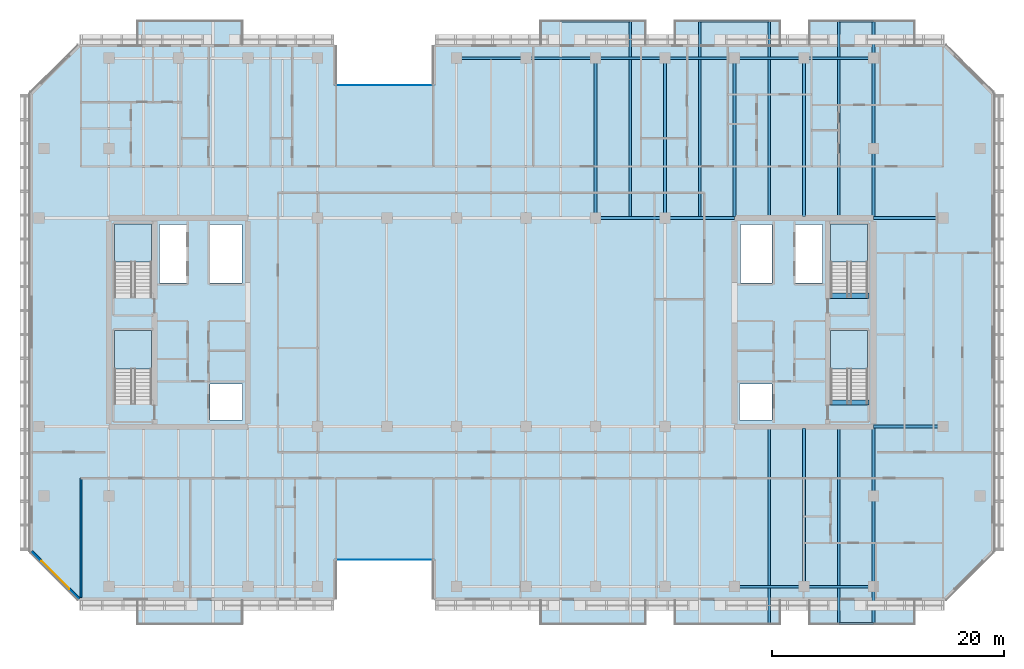
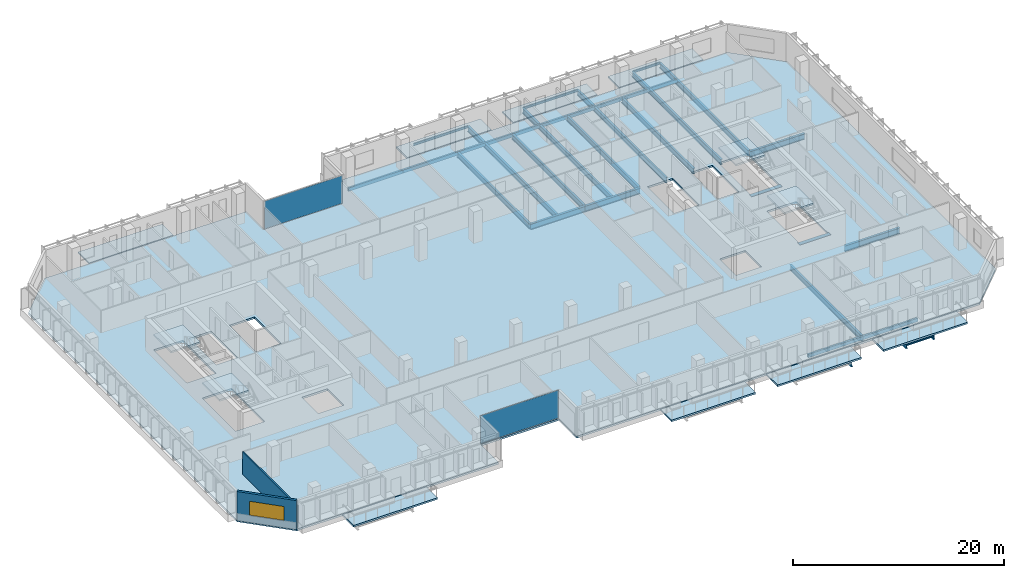
# One storey, part 9 of 23: 31 beams, 13 slabs, 2 plates, 2 walls, 1 window, 1 opening, 6 elements without a shape of their own.
"""IFC4 building model written with IfcOpenShell, lengths in metres."""

from ifc_helpers import new_model, si_unit, direction, frame, frame_2d, origin, origin_2d, place, context, subcontext, project, spatial, polyline, rectangle, hollow_rectangle, i_section, outline, extrude, material, layer, layer_set, material_profile, profile_set, type_object, element, fill, aggregate, save


model = new_model("IFC4")

# Units and contexts
model_context = context("Model", 3, precision=1e-05, world=origin(), true_north=direction((0.0, 1.0)))
body_context = subcontext(model_context, "Body", "Model", "MODEL_VIEW")
ifc_project = project(units=[si_unit("LENGTHUNIT", "METRE"), si_unit("AREAUNIT", "SQUARE_METRE"), si_unit("VOLUMEUNIT", "CUBIC_METRE"), si_unit("PLANEANGLEUNIT", "RADIAN"), si_unit("MASSUNIT", "GRAM", prefix="KILO")], contexts=[model_context])

# Site, building, storey
site_placement = place(None, origin())
site = spatial("IfcSite", under=ifc_project, at=site_placement, CompositionType="ELEMENT")
building_placement = place(site_placement, origin())
building = spatial("IfcBuilding", under=site, at=building_placement, Name="Tanjung Sevakor Pilgrim Tower", CompositionType="ELEMENT")
storey_placement = place(building_placement, frame((0.0, 0.0, 119.4599609375)))
storey = spatial("IfcBuildingStorey", under=building, at=storey_placement, Name="L33", CompositionType="ELEMENT", Elevation=119.4599609375)

# Beams
ifc_material_1 = material(Name="Steel S355J2", Category="steel")
ifc_material_profile_1 = material_profile(ifc_material_1, i_section(OverallWidth=0.25439453125, OverallDepth=0.6875, WebThickness=0.01318359375, FlangeThickness=0.02099609375, FilletRadius=0.01513671875, at=origin_2d()))
ifc_profile_set_1 = profile_set([ifc_material_profile_1], Name="Steel S355J2")
beam_type_1 = type_object("IfcBeamType", Name="BM-B-G2-UB_686x254x152", PredefinedType="BEAM", material=ifc_profile_set_1)
for number, where, z_axis, x_axis, name in (
    (1, (90.0, 24.60009765625, -0.563720703125), (1.0, 0.0, 0.0), (0.0, 1.0, 0.0), "L33 Primary Floor Girder MAIN Y246-09"),
    (2, (66.0, 42.60009765625, -0.563720703125), (1.0, 0.0, 0.0), (0.0, 1.0, 0.0), "L33 Primary Floor Girder MAIN Y426-07"),
    (3, (72.0, 42.60009765625, -0.563720703125), (1.0, 0.0, 0.0), (0.0, 1.0, 0.0), "L33 Primary Floor Girder MAIN Y426-08"),
    (4, (90.0, 42.60009765625, -0.563720703125), (1.0, 0.0, 0.0), (0.0, 1.0, 0.0), "L33 Primary Floor Girder MAIN Y426-09"),
):
    element("IfcBeam", number, at=place(storey_placement, frame(where, z_axis=z_axis, x_axis=x_axis)), inside=storey, type_object=beam_type_1, Name=name, PredefinedType="BEAM", context=body_context, shape_type="SweptSolid", body=[
        extrude(i_section(OverallWidth=0.25439453125, OverallDepth=0.6875, WebThickness=0.01318359375, FlangeThickness=0.02099609375, FilletRadius=0.01513671875, at=origin_2d()), origin(), (0.0, 0.0, 1.0), 6.0),
    ])
ifc_material_2 = material(Name="Steel S355J2", Category="steel")
ifc_material_profile_2 = material_profile(ifc_material_2, i_section(OverallWidth=0.230224609375, OverallDepth=0.6171875, WebThickness=0.01318359375, FlangeThickness=0.022216796875, FilletRadius=0.0126953125, at=origin_2d()))
ifc_profile_set_2 = profile_set([ifc_material_profile_2], Name="Steel S355J2")
beam_type_2 = type_object("IfcBeamType", Name="BM-B-G3-UB_610x229x140", PredefinedType="BEAM", material=ifc_profile_set_2)
for number, where, z_axis, x_axis, name in (
    (5, (66.0, 42.60009765625, -0.528564453125), (0.0, 1.0, 0.0), (-1.0, 0.0, 0.0), "L33 MAIN Girder 023"),
    (6, (72.0, 42.60009765625, -0.528564453125), (0.0, 1.0, 0.0), (-1.0, 0.0, 0.0), "L33 MAIN Girder 026"),
):
    element("IfcBeam", number, at=place(storey_placement, frame(where, z_axis=z_axis, x_axis=x_axis)), inside=storey, type_object=beam_type_2, Name=name, PredefinedType="BEAM", context=body_context, shape_type="SweptSolid", body=[
        extrude(i_section(OverallWidth=0.230224609375, OverallDepth=0.6171875, WebThickness=0.01318359375, FlangeThickness=0.022216796875, FilletRadius=0.0126953125, at=origin_2d()), origin(), (0.0, 0.0, 1.0), 13.7998046875),
    ])
for number, where, z_axis, x_axis, name in (
    (7, (78.0, 42.727294921875, -0.528564453125), (0.0, 1.0, 0.0), (-1.0, 0.0, 0.0), "L33 MAIN Girder 028"),
    (8, (84.0, 10.800048828125, -0.528564453125), (0.0, 1.0, 0.0), (-1.0, 0.0, 0.0), "L33 MAIN Girder 029"),
    (9, (84.0, 42.727294921875, -0.528564453125), (0.0, 1.0, 0.0), (-1.0, 0.0, 0.0), "L33 MAIN Girder 030"),
):
    element("IfcBeam", number, at=place(storey_placement, frame(where, z_axis=z_axis, x_axis=x_axis)), inside=storey, type_object=beam_type_2, Name=name, PredefinedType="BEAM", context=body_context, shape_type="SweptSolid", body=[
        extrude(i_section(OverallWidth=0.230224609375, OverallDepth=0.6171875, WebThickness=0.01318359375, FlangeThickness=0.022216796875, FilletRadius=0.0126953125, at=origin_2d()), origin(), (0.0, 0.0, 1.0), 13.672607421875),
    ])
beam_1_placement = place(storey_placement, frame((90.0, 24.47265625, -0.528564453125), z_axis=(0.0, -1.0, 0.0), x_axis=(1.0, 0.0, 0.0)))
element("IfcBeam", 10, at=beam_1_placement, inside=storey, type_object=beam_type_2, Name="L33 Balcony Cantilever Beam MAIN-S4-2", PredefinedType="BEAM", context=body_context, shape_type="SweptSolid", body=[
    extrude(i_section(OverallWidth=0.230224609375, OverallDepth=0.6171875, WebThickness=0.01318359375, FlangeThickness=0.022216796875, FilletRadius=0.0126953125, at=origin_2d()), origin(), (0.0, 0.0, 1.0), 16.8525390625),
])
beam_2_placement = place(storey_placement, frame((90.0, 42.727294921875, -0.528564453125), z_axis=(0.0, 1.0, 0.0), x_axis=(-1.0, 0.0, 0.0)))
element("IfcBeam", 11, at=beam_2_placement, inside=storey, type_object=beam_type_2, Name="L33 Balcony Cantilever Beam MAIN-N4-2", PredefinedType="BEAM", context=body_context, shape_type="SweptSolid", body=[
    extrude(i_section(OverallWidth=0.230224609375, OverallDepth=0.6171875, WebThickness=0.01318359375, FlangeThickness=0.022216796875, FilletRadius=0.0126953125, at=origin_2d()), origin(), (0.0, 0.0, 1.0), 16.852783203125),
])
ifc_material_3 = material(Name="Steel S355J2", Category="steel")
ifc_material_profile_3 = material_profile(ifc_material_3, i_section(OverallWidth=0.22900390625, OverallDepth=0.6123046875, WebThickness=0.011962890625, FlangeThickness=0.01953125, FilletRadius=0.0126953125, at=origin_2d()))
ifc_profile_set_3 = profile_set([ifc_material_profile_3], Name="Steel S355J2")
beam_type_3 = type_object("IfcBeamType", Name="BM-B-G4-UB_610x229x125", PredefinedType="BEAM", material=ifc_profile_set_3)
for number, where, z_axis, x_axis, name in (
    (12, (69.0, 42.727294921875, -0.526123046875), (0.0, 1.0, 0.0), (-1.0, 0.0, 0.0), "L33 Balcony Cantilever Beam MAIN-N2-2"),
    (13, (75.0, 42.727294921875, -0.526123046875), (0.0, 1.0, 0.0), (-1.0, 0.0, 0.0), "L33 Balcony Cantilever Beam MAIN-N3-1"),
):
    element("IfcBeam", number, at=place(storey_placement, frame(where, z_axis=z_axis, x_axis=x_axis)), inside=storey, type_object=beam_type_3, Name=name, PredefinedType="BEAM", context=body_context, shape_type="SweptSolid", body=[
        extrude(i_section(OverallWidth=0.22900390625, OverallDepth=0.6123046875, WebThickness=0.011962890625, FlangeThickness=0.01953125, FilletRadius=0.0126953125, at=origin_2d()), origin(), (0.0, 0.0, 1.0), 16.852783203125),
    ])
beam_3_placement = place(storey_placement, frame((81.0, 24.47265625, -0.526123046875), z_axis=(0.0, -1.0, 0.0), x_axis=(1.0, 0.0, 0.0)))
element("IfcBeam", 14, at=beam_3_placement, inside=storey, type_object=beam_type_3, Name="L33 Balcony Cantilever Beam MAIN-S3-2", PredefinedType="BEAM", context=body_context, shape_type="SweptSolid", body=[
    extrude(i_section(OverallWidth=0.22900390625, OverallDepth=0.6123046875, WebThickness=0.011962890625, FlangeThickness=0.01953125, FilletRadius=0.0126953125, at=origin_2d()), origin(), (0.0, 0.0, 1.0), 16.8525390625),
])
beam_4_placement = place(storey_placement, frame((81.0, 42.727294921875, -0.526123046875), z_axis=(0.0, 1.0, 0.0), x_axis=(-1.0, 0.0, 0.0)))
element("IfcBeam", 15, at=beam_4_placement, inside=storey, type_object=beam_type_3, Name="L33 Balcony Cantilever Beam MAIN-N3-2", PredefinedType="BEAM", context=body_context, shape_type="SweptSolid", body=[
    extrude(i_section(OverallWidth=0.22900390625, OverallDepth=0.6123046875, WebThickness=0.011962890625, FlangeThickness=0.01953125, FilletRadius=0.0126953125, at=origin_2d()), origin(), (0.0, 0.0, 1.0), 16.852783203125),
])
beam_5_placement = place(storey_placement, frame((87.0, 24.47265625, -0.526123046875), z_axis=(0.0, -1.0, 0.0), x_axis=(1.0, 0.0, 0.0)))
element("IfcBeam", 16, at=beam_5_placement, inside=storey, type_object=beam_type_3, Name="L33 Balcony Cantilever Beam MAIN-S4-1", PredefinedType="BEAM", context=body_context, shape_type="SweptSolid", body=[
    extrude(i_section(OverallWidth=0.22900390625, OverallDepth=0.6123046875, WebThickness=0.011962890625, FlangeThickness=0.01953125, FilletRadius=0.0126953125, at=origin_2d()), origin(), (0.0, 0.0, 1.0), 16.8525390625),
])
beam_6_placement = place(storey_placement, frame((87.0, 42.727294921875, -0.526123046875), z_axis=(0.0, 1.0, 0.0), x_axis=(-1.0, 0.0, 0.0)))
element("IfcBeam", 17, at=beam_6_placement, inside=storey, type_object=beam_type_3, Name="L33 Balcony Cantilever Beam MAIN-N4-1", PredefinedType="BEAM", context=body_context, shape_type="SweptSolid", body=[
    extrude(i_section(OverallWidth=0.22900390625, OverallDepth=0.6123046875, WebThickness=0.011962890625, FlangeThickness=0.01953125, FilletRadius=0.0126953125, at=origin_2d()), origin(), (0.0, 0.0, 1.0), 16.852783203125),
])
ifc_material_4 = material(Name="Steel S355J2", Category="steel")
ifc_material_profile_4 = material_profile(ifc_material_4, i_section(OverallWidth=0.146484375, OverallDepth=0.256103515625, WebThickness=0.00634765625, FlangeThickness=0.010986328125, FilletRadius=0.007568359375, at=origin_2d()))
ifc_profile_set_4 = profile_set([ifc_material_profile_4], Name="Steel S355J2")
beam_type_4 = type_object("IfcBeamType", Name="BM-B-J6-UB_254x146x37", PredefinedType="JOIST", material=ifc_profile_set_4)
for number, where, z_axis, x_axis, name in (
    (18, (63.0, 59.580078125, -0.327880859375), (1.0, 0.0, 0.0), (0.0, 1.0, 0.0), "L33 Balcony Rim Tie MAIN-N2"),
    (19, (75.0, 59.580078125, -0.327880859375), (1.0, 0.0, 0.0), (0.0, 1.0, 0.0), "L33 Balcony Rim Tie MAIN-N3"),
):
    element("IfcBeam", number, at=place(storey_placement, frame(where, z_axis=z_axis, x_axis=x_axis)), inside=storey, type_object=beam_type_4, Name=name, PredefinedType="JOIST", context=body_context, shape_type="SweptSolid", body=[
        extrude(i_section(OverallWidth=0.146484375, OverallDepth=0.256103515625, WebThickness=0.00634765625, FlangeThickness=0.010986328125, FilletRadius=0.007568359375, at=origin_2d()), origin(), (0.0, 0.0, 1.0), 6.0),
    ])
for number, where, z_axis, x_axis, name in (
    (20, (87.0, 7.6201171875, -0.327880859375), (1.0, 0.0, 0.0), (0.0, 1.0, 0.0), "L33 Balcony Rim Tie MAIN-S4"),
    (21, (87.0, 59.580078125, -0.327880859375), (1.0, 0.0, 0.0), (0.0, 1.0, 0.0), "L33 Balcony Rim Tie MAIN-N4"),
):
    element("IfcBeam", number, at=place(storey_placement, frame(where, z_axis=z_axis, x_axis=x_axis)), inside=storey, type_object=beam_type_4, Name=name, PredefinedType="JOIST", context=body_context, shape_type="SweptSolid", body=[
        extrude(i_section(OverallWidth=0.146484375, OverallDepth=0.256103515625, WebThickness=0.00634765625, FlangeThickness=0.010986328125, FilletRadius=0.007568359375, at=origin_2d()), origin(), (0.0, 0.0, 1.0), 3.0),
    ])
ifc_material_5 = material(Name="Concrete C60/75", Category="concrete")
ifc_material_profile_5 = material_profile(ifc_material_5, rectangle(XDim=0.449951171875, YDim=0.699951171875, at=origin_2d()))
ifc_profile_set_5 = profile_set([ifc_material_profile_5], Name="Concrete C60/75")
beam_type_5 = type_object("IfcBeamType", Name="BM-B-LN3-RC-BM_450x700", PredefinedType="LINTEL", material=ifc_profile_set_5)
for number, where, z_axis, x_axis, name in (
    (22, (86.199951171875, 26.699951171875, -0.349853515625), (1.0, 0.0, 0.0), (0.0, 1.0, 0.0), "L33 TS-E1 Stair Threshold Beam"),
    (23, (86.199951171875, 35.89990234375, -0.349853515625), (1.0, 0.0, 0.0), (0.0, 1.0, 0.0), "L33 TS-E2 Stair Threshold Beam"),
):
    element("IfcBeam", number, at=place(storey_placement, frame(where, z_axis=z_axis, x_axis=x_axis)), inside=storey, type_object=beam_type_5, Name=name, PredefinedType="LINTEL", context=body_context, shape_type="SweptSolid", body=[
        extrude(rectangle(XDim=0.449951171875, YDim=0.699951171875, at=origin_2d()), origin(), (0.0, 0.0, 1.0), 3.400146484375),
    ])
ifc_material_6 = material(Name="Steel S355J2", Category="steel")
ifc_material_profile_6 = material_profile(ifc_material_6, hollow_rectangle(XDim=0.199951171875, YDim=0.39990234375, WallThickness=0.01611328125, at=origin_2d()))
ifc_profile_set_6 = profile_set([ifc_material_profile_6], Name="Steel S355J2")
beam_type_6 = type_object("IfcBeamType", Name="BM-B-SP2-RHS_400x200x16", PredefinedType="SPANDREL", material=ifc_profile_set_6)
for number, where, z_axis, x_axis, name in (
    (24, (54.0, 56.39990234375, -0.419921875), (1.0, 0.0, 0.0), (0.0, 1.0, 0.0), "L33 Spandrel MAIN N-08"),
    (25, (60.0, 56.39990234375, -0.419921875), (1.0, 0.0, 0.0), (0.0, 1.0, 0.0), "L33 Spandrel MAIN N-10"),
    (26, (66.0, 56.39990234375, -0.419921875), (1.0, 0.0, 0.0), (0.0, 1.0, 0.0), "L33 Spandrel MAIN N-12"),
    (27, (72.0, 56.39990234375, -0.419921875), (1.0, 0.0, 0.0), (0.0, 1.0, 0.0), "L33 Spandrel MAIN N-14"),
    (28, (78.0, 10.800048828125, -0.419921875), (1.0, 0.0, 0.0), (0.0, 1.0, 0.0), "L33 Spandrel MAIN S-15"),
    (29, (78.0, 56.39990234375, -0.419921875), (1.0, 0.0, 0.0), (0.0, 1.0, 0.0), "L33 Spandrel MAIN N-16"),
    (30, (84.0, 10.800048828125, -0.419921875), (1.0, 0.0, 0.0), (0.0, 1.0, 0.0), "L33 Spandrel MAIN S-17"),
    (31, (84.0, 56.39990234375, -0.419921875), (1.0, 0.0, 0.0), (0.0, 1.0, 0.0), "L33 Spandrel MAIN N-18"),
):
    element("IfcBeam", number, at=place(storey_placement, frame(where, z_axis=z_axis, x_axis=x_axis)), inside=storey, type_object=beam_type_6, Name=name, PredefinedType="SPANDREL", context=body_context, shape_type="SweptSolid", body=[
        extrude(hollow_rectangle(XDim=0.199951171875, YDim=0.39990234375, WallThickness=0.01611328125, at=origin_2d()), origin(), (0.0, 0.0, 1.0), 6.0),
    ])

# Slabs
ifc_material_7 = material(Name="Concrete C40/50", Category="concrete")
ifc_layer_1 = layer(ifc_material_7, 0.199951171875)
ifc_layer_set_1 = layer_set([ifc_layer_1], Name="SL-BAL-200")
slab_type_1 = type_object("IfcSlabType", Name="SL-BAL-200", PredefinedType="FLOOR", material=ifc_layer_set_1)
slab_1_placement = place(storey_placement, frame((0.0, 0.0, -0.199951171875)))
element("IfcSlab", 32, at=slab_1_placement, inside=storey, type_object=slab_type_1, Name="L33 Planted Loggia Balcony MAIN-S1", PredefinedType="FLOOR", context=body_context, shape_type="SweptSolid", body=[
    extrude(outline(polyline([(26.39990234375, 7.5), (35.60009765625, 7.5), (35.60009765625, 9.60009765625), (26.39990234375, 9.60009765625), (26.39990234375, 7.5)])), origin(), (0.0, 0.0, 1.0), 0.199951171875),
])
slab_2_placement = place(storey_placement, frame((0.0, 0.0, -0.199951171875)))
element("IfcSlab", 33, at=slab_2_placement, inside=storey, type_object=slab_type_1, Name="L33 Planted Loggia Balcony MAIN-N1", PredefinedType="FLOOR", context=body_context, shape_type="SweptSolid", body=[
    extrude(outline(polyline([(26.39990234375, 57.60009765625), (35.60009765625, 57.60009765625), (35.60009765625, 59.699951171875), (26.39990234375, 59.699951171875), (26.39990234375, 57.60009765625)])), origin(), (0.0, 0.0, 1.0), 0.199951171875),
])
slab_3_placement = place(storey_placement, frame((0.0, 0.0, -0.199951171875)))
element("IfcSlab", 34, at=slab_3_placement, inside=storey, type_object=slab_type_1, Name="L33 Planted Loggia Balcony MAIN-S2", PredefinedType="FLOOR", context=body_context, shape_type="SweptSolid", body=[
    extrude(outline(polyline([(61.199951171875, 7.5), (70.39990234375, 7.5), (70.39990234375, 9.60009765625), (61.199951171875, 9.60009765625), (61.199951171875, 7.5)])), origin(), (0.0, 0.0, 1.0), 0.199951171875),
])
slab_4_placement = place(storey_placement, frame((0.0, 0.0, -0.199951171875)))
element("IfcSlab", 35, at=slab_4_placement, inside=storey, type_object=slab_type_1, Name="L33 Planted Loggia Balcony MAIN-N2", PredefinedType="FLOOR", context=body_context, shape_type="SweptSolid", body=[
    extrude(outline(polyline([(61.199951171875, 57.60009765625), (70.39990234375, 57.60009765625), (70.39990234375, 59.699951171875), (61.199951171875, 59.699951171875), (61.199951171875, 57.60009765625)])), origin(), (0.0, 0.0, 1.0), 0.199951171875),
])
slab_5_placement = place(storey_placement, frame((0.0, 0.0, -0.199951171875)))
element("IfcSlab", 36, at=slab_5_placement, inside=storey, type_object=slab_type_1, Name="L33 Planted Loggia Balcony MAIN-S3", PredefinedType="FLOOR", context=body_context, shape_type="SweptSolid", body=[
    extrude(outline(polyline([(72.800048828125, 7.5), (82.0, 7.5), (82.0, 9.60009765625), (72.800048828125, 9.60009765625), (72.800048828125, 7.5)])), origin(), (0.0, 0.0, 1.0), 0.199951171875),
])
slab_6_placement = place(storey_placement, frame((0.0, 0.0, -0.199951171875)))
element("IfcSlab", 37, at=slab_6_placement, inside=storey, type_object=slab_type_1, Name="L33 Planted Loggia Balcony MAIN-N3", PredefinedType="FLOOR", context=body_context, shape_type="SweptSolid", body=[
    extrude(outline(polyline([(72.800048828125, 57.60009765625), (82.0, 57.60009765625), (82.0, 59.699951171875), (72.800048828125, 59.699951171875), (72.800048828125, 57.60009765625)])), origin(), (0.0, 0.0, 1.0), 0.199951171875),
])
slab_7_placement = place(storey_placement, frame((0.0, 0.0, -0.199951171875)))
element("IfcSlab", 38, at=slab_7_placement, inside=storey, type_object=slab_type_1, Name="L33 Planted Loggia Balcony MAIN-S4", PredefinedType="FLOOR", context=body_context, shape_type="SweptSolid", body=[
    extrude(outline(polyline([(84.39990234375, 7.5), (93.60009765625, 7.5), (93.60009765625, 9.60009765625), (84.39990234375, 9.60009765625), (84.39990234375, 7.5)])), origin(), (0.0, 0.0, 1.0), 0.199951171875),
])
slab_8_placement = place(storey_placement, frame((0.0, 0.0, -0.199951171875)))
element("IfcSlab", 39, at=slab_8_placement, inside=storey, type_object=slab_type_1, Name="L33 Planted Loggia Balcony MAIN-N4", PredefinedType="FLOOR", context=body_context, shape_type="SweptSolid", body=[
    extrude(outline(polyline([(84.39990234375, 57.60009765625), (93.60009765625, 57.60009765625), (93.60009765625, 59.699951171875), (84.39990234375, 59.699951171875), (84.39990234375, 57.60009765625)])), origin(), (0.0, 0.0, 1.0), 0.199951171875),
])

# Stair, slab
ifc_material_8 = material(Name="Concrete C40/50", Category="concrete")
stair_type = type_object("IfcStairType", Name="STAIR-ST-CR150", PredefinedType="HALF_TURN_STAIR", material=ifc_material_8)
stair_1_placement = place(storey_placement, origin())
stair_1 = element("IfcStair", 40, at=stair_1_placement, inside=storey, type_object=stair_type, Name="L33 West Core Exit Stair 1", PredefinedType="HALF_TURN_STAIR")
ifc_material_9 = material(Name="Concrete C40/50", Category="concrete")
ifc_layer_2 = layer(ifc_material_9, 0.199951171875)
ifc_layer_set_2 = layer_set([ifc_layer_2], Name="SL-LAND-200")
slab_type_2 = type_object("IfcSlabType", Name="SL-LAND-200", PredefinedType="LANDING", material=ifc_layer_set_2)
slab_9_placement = place(storey_placement, frame((0.0, 0.0, 1.614990234375)))
slab_9 = element("IfcSlab", 41, at=slab_9_placement, type_object=slab_type_2, Name="TS-W1 landing 1", PredefinedType="LANDING", context=body_context, shape_type="SweptSolid", body=[
    extrude(outline(polyline([(27.699951171875, 29.60009765625), (27.699951171875, 32.89990234375), (24.5, 32.89990234375), (24.5, 29.60009765625), (27.699951171875, 29.60009765625)])), origin(), (0.0, 0.0, 1.0), 0.199951171875),
])
aggregate(stair_1, [slab_9])

stair_2_placement = place(storey_placement, origin())
stair_2 = element("IfcStair", 42, at=stair_2_placement, inside=storey, type_object=stair_type, Name="L33 West Core Exit Stair 2", PredefinedType="HALF_TURN_STAIR")
slab_10_placement = place(storey_placement, frame((0.0, 0.0, 1.614990234375)))
slab_10 = element("IfcSlab", 43, at=slab_10_placement, type_object=slab_type_2, Name="TS-W2 landing 1", PredefinedType="LANDING", context=body_context, shape_type="SweptSolid", body=[
    extrude(outline(polyline([(27.699951171875, 38.800048828125), (27.699951171875, 42.10009765625), (24.5, 42.10009765625), (24.5, 38.800048828125), (27.699951171875, 38.800048828125)])), origin(), (0.0, 0.0, 1.0), 0.199951171875),
])
aggregate(stair_2, [slab_10])

stair_3_placement = place(storey_placement, origin())
stair_3 = element("IfcStair", 44, at=stair_3_placement, inside=storey, type_object=stair_type, Name="L33 East Core Exit Stair 1", PredefinedType="HALF_TURN_STAIR")
slab_11_placement = place(storey_placement, frame((0.0, 0.0, 1.614990234375)))
slab_11 = element("IfcSlab", 45, at=slab_11_placement, type_object=slab_type_2, Name="TS-E1 landing 1", PredefinedType="LANDING", context=body_context, shape_type="SweptSolid", body=[
    extrude(outline(polyline([(89.5, 29.60009765625), (89.5, 32.89990234375), (86.300048828125, 32.89990234375), (86.300048828125, 29.60009765625), (89.5, 29.60009765625)])), origin(), (0.0, 0.0, 1.0), 0.199951171875),
])
aggregate(stair_3, [slab_11])

stair_4_placement = place(storey_placement, origin())
stair_4 = element("IfcStair", 46, at=stair_4_placement, inside=storey, type_object=stair_type, Name="L33 East Core Exit Stair 2", PredefinedType="HALF_TURN_STAIR")
slab_12_placement = place(storey_placement, frame((0.0, 0.0, 1.614990234375)))
slab_12 = element("IfcSlab", 47, at=slab_12_placement, type_object=slab_type_2, Name="TS-E2 landing 1", PredefinedType="LANDING", context=body_context, shape_type="SweptSolid", body=[
    extrude(outline(polyline([(89.5, 38.800048828125), (89.5, 42.10009765625), (86.300048828125, 42.10009765625), (86.300048828125, 38.800048828125), (89.5, 38.800048828125)])), origin(), (0.0, 0.0, 1.0), 0.199951171875),
])
aggregate(stair_4, [slab_12])

# Slab
ifc_material_10 = material(Name="Concrete C40/50", Category="concrete")
ifc_layer_3 = layer(ifc_material_10, 0.219970703125)
ifc_layer_set_3 = layer_set([ifc_layer_3], Name="SL-TWR-220")
slab_type_3 = type_object("IfcSlabType", Name="SL-TWR-220", PredefinedType="FLOOR", material=ifc_layer_set_3)
slab_13_placement = place(storey_placement, frame((0.0, 0.0, -0.219970703125)))
element("IfcSlab", 48, at=slab_13_placement, inside=storey, type_object=slab_type_3, Name="L33 Floor Slab MAIN", PredefinedType="FLOOR", context=body_context, shape_type="SweptSolid", body=[
    extrude(outline(polyline([(21.447021484375, 9.679931640625), (43.52001953125, 9.679931640625), (43.52001953125, 13.080078125), (52.080078125, 13.080078125), (52.080078125, 9.679931640625), (96.153076171875, 9.679931640625), (100.320068359375, 13.846923828125), (100.320068359375, 53.35302734375), (96.153076171875, 57.52001953125), (52.080078125, 57.52001953125), (52.080078125, 54.1201171875), (43.52001953125, 54.1201171875), (43.52001953125, 57.52001953125), (21.447021484375, 57.52001953125), (17.280029296875, 53.35302734375), (17.280029296875, 13.846923828125), (21.447021484375, 9.679931640625)]), holes=[polyline([(27.699951171875, 26.60009765625), (27.699951171875, 32.89990234375), (24.5, 32.89990234375), (24.5, 26.60009765625), (27.699951171875, 26.60009765625)]), polyline([(27.699951171875, 35.800048828125), (27.699951171875, 42.10009765625), (24.5, 42.10009765625), (24.5, 35.800048828125), (27.699951171875, 35.800048828125)]), polyline([(89.5, 26.60009765625), (89.5, 32.89990234375), (86.300048828125, 32.89990234375), (86.300048828125, 26.60009765625), (89.5, 26.60009765625)]), polyline([(89.5, 35.800048828125), (89.5, 42.10009765625), (86.300048828125, 42.10009765625), (86.300048828125, 35.800048828125), (89.5, 35.800048828125)]), polyline([(32.75, 25.199951171875), (35.550048828125, 25.199951171875), (35.550048828125, 28.300048828125), (32.75, 28.300048828125), (32.75, 25.199951171875)]), polyline([(28.39990234375, 37.0), (30.75, 37.0), (30.75, 42.050048828125), (28.39990234375, 42.050048828125), (28.39990234375, 37.0)]), polyline([(32.75, 37.0), (35.5, 37.0), (35.5, 42.050048828125), (32.75, 42.050048828125), (32.75, 37.0)]), polyline([(78.449951171875, 25.199951171875), (81.25, 25.199951171875), (81.25, 28.300048828125), (78.449951171875, 28.300048828125), (78.449951171875, 25.199951171875)]), polyline([(83.25, 37.0), (85.60009765625, 37.0), (85.60009765625, 42.050048828125), (83.25, 42.050048828125), (83.25, 37.0)]), polyline([(78.5, 37.0), (81.25, 37.0), (81.25, 42.050048828125), (78.5, 42.050048828125), (78.5, 37.0)])]), origin(), (0.0, 0.0, 1.0), 0.219970703125),
])

# Curtain wall, plate
ifc_material_11 = material(Name="Aluminium 6063-T6 and Low-E Glass", Category="aluminium")
ifc_layer_4 = layer(ifc_material_11, 0.179931640625)
ifc_layer_set_4 = layer_set([ifc_layer_4], Name="CW-SYS-CLEFT")
curtain_wall_type = type_object("IfcCurtainWallType", Name="CW-SYS-CLEFT", PredefinedType="NOTDEFINED", material=ifc_layer_set_4)
curtain_wall_1_placement = place(storey_placement, origin())
curtain_wall_1 = element("IfcCurtainWall", 49, at=curtain_wall_1_placement, inside=storey, type_object=curtain_wall_type, Name="L33 Curtain Wall CW-CLF-L33-2", PredefinedType="NOTDEFINED")
ifc_material_12 = material(Name="Laminated Low-E Double Glazing", Category="glass")
ifc_layer_5 = layer(ifc_material_12, 0.028076171875)
ifc_layer_set_5 = layer_set([ifc_layer_5], Name="TYPE-CWP-GLZ1")
plate_type = type_object("IfcPlateType", Name="TYPE-CWP-GLZ1", PredefinedType="CURTAIN_PANEL", material=ifc_layer_set_5)
plate_1_placement = place(storey_placement, frame((47.800048828125, 13.125, 0.06494140625), z_axis=(0.0, 0.0, 1.0), x_axis=(1.0, 0.0, 0.0)))
plate_1 = element("IfcPlate", 50, at=plate_1_placement, type_object=plate_type, Name="CW-CLF panel 1.1", PredefinedType="CURTAIN_PANEL", context=body_context, shape_type="SweptSolid", body=[
    extrude(rectangle(XDim=8.5, YDim=0.028076171875, at=origin_2d()), origin(), (0.0, 0.0, 1.0), 3.219970703125),
])
aggregate(curtain_wall_1, [plate_1])

curtain_wall_2_placement = place(storey_placement, origin())
curtain_wall_2 = element("IfcCurtainWall", 51, at=curtain_wall_2_placement, inside=storey, type_object=curtain_wall_type, Name="L33 Curtain Wall CW-CLF-L33-10", PredefinedType="NOTDEFINED")
plate_2_placement = place(storey_placement, frame((47.800048828125, 54.074951171875, 0.06494140625), z_axis=(0.0, 0.0, 1.0), x_axis=(-1.0, 0.0, 0.0)))
plate_2 = element("IfcPlate", 52, at=plate_2_placement, type_object=plate_type, Name="CW-CLF panel 1.1", PredefinedType="CURTAIN_PANEL", context=body_context, shape_type="SweptSolid", body=[
    extrude(rectangle(XDim=8.5, YDim=0.028076171875, at=origin_2d()), origin(), (0.0, 0.0, 1.0), 3.219970703125),
])
aggregate(curtain_wall_2, [plate_2])

# Wall
ifc_material_13 = material(Name="Concrete C40/50", Category="concrete")
ifc_layer_6 = layer(ifc_material_13, 0.14990234375)
ifc_layer_set_6 = layer_set([ifc_layer_6], Name="WT-COMP-150")
wall_type_1 = type_object("IfcWallType", Name="WT-COMP-150", PredefinedType="SOLIDWALL", material=ifc_layer_set_6)
wall_1_placement = place(storey_placement, frame((21.60009765625, 9.85009765625, 0.0), z_axis=(0.0, 0.0, 1.0), x_axis=(0.0, 1.0, 0.0)))
element("IfcWall", 53, at=wall_1_placement, inside=storey, type_object=wall_type_1, Name="L33 Partition IW-L33-053", PredefinedType="SOLIDWALL", context=body_context, shape_type="SweptSolid", body=[
    extrude(rectangle(XDim=10.2998046875, YDim=0.14990234375, at=frame_2d((5.14990234375, 0.0))), origin(), (0.0, 0.0, 1.0), 2.570068359375),
])

# Wall, opening, window
ifc_material_14 = material(Name="Precast concrete C45/55", Category="concrete")
ifc_layer_7 = layer(ifc_material_14, 0.25)
ifc_layer_set_7 = layer_set([ifc_layer_7], Name="WT-EW-STN3")
wall_type_2 = type_object("IfcWallType", Name="WT-EW-STN3", PredefinedType="SOLIDWALL", material=ifc_layer_set_7)
wall_2_placement = place(storey_placement, frame((17.324951171875, 13.851806640625, 0.0), z_axis=(0.0, 0.0, 1.0), x_axis=(0.707127696864, -0.70708586489, 0.0)))
wall_2 = element("IfcWall", 54, at=wall_2_placement, inside=storey, type_object=wall_type_2, Name="L33 MAIN Sculpted Corner Wall 15", PredefinedType="SOLIDWALL", context=body_context, shape_type="SweptSolid", body=[
    extrude(rectangle(XDim=5.836181640625, YDim=0.25, at=frame_2d((2.91796875, 0.0))), origin(), (0.0, 0.0, 1.0), 3.35009765625),
])
opening_placement = place(wall_2_placement, frame((1.218017578125, 0.0, 0.780029296875)))
opening = element("IfcOpeningElement", 55, at=opening_placement, cuts=wall_2, Name="Opening WN-CHM-1660", PredefinedType="OPENING", context=body_context, shape_type="SweptSolid", body=[
    extrude(rectangle(XDim=3.39990234375, YDim=1.659912109375, at=frame_2d((1.699951171875, 0.830078125))), frame((0.0, 0.135009765625, 0.0), z_axis=(0.0, -1.0, 0.0), x_axis=(1.0, 0.0, 0.0)), (0.0, 0.0, 1.0), 0.27001953125),
])
ifc_material_15 = material(Name="Thermally Broken Aluminium and Low-E Glass", Category="aluminium")
window_type = type_object("IfcWindowType", Name="WTYP-WN-CHM-1660", PartitioningType="DOUBLE_PANEL_VERTICAL", PredefinedType="WINDOW", material=ifc_material_15)
window_placement = place(opening_placement, origin())
window = element("IfcWindow", 56, at=window_placement, inside=storey, type_object=window_type, Name="L33 Facade Window 01", OverallHeight=1.659912109375, OverallWidth=3.39990234375, PartitioningType="SINGLE_PANEL", PredefinedType="WINDOW", context=body_context, shape_type="SweptSolid", body=[
    extrude(rectangle(XDim=3.39990234375, YDim=1.659912109375, at=frame_2d((1.699951171875, 0.830078125))), frame((0.0, 0.030029296875, 0.0), z_axis=(0.0, -1.0, 0.0), x_axis=(1.0, 0.0, 0.0)), (0.0, 0.0, 1.0), 0.06005859375),
])
fill(opening, window)

save(model, "model.ifc")
